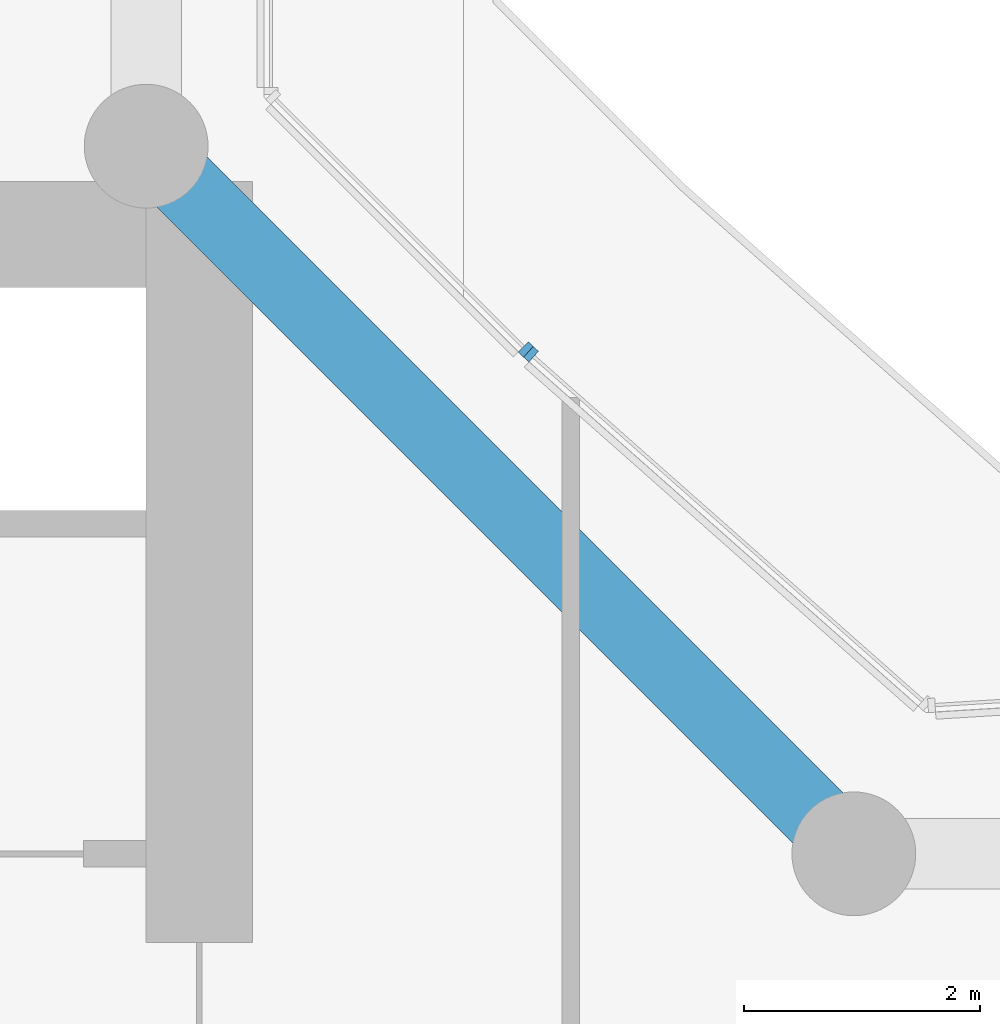
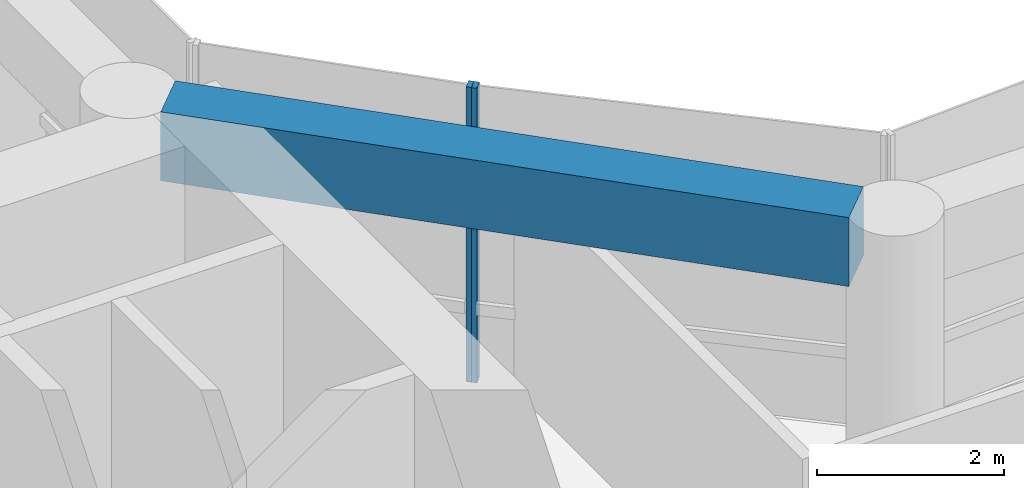
# One storey, part 5 of 29: 2 members, 1 beam, 2 elements without a shape of their own.
"""IFC4 building model written with IfcOpenShell, lengths in metres."""

from ifc_helpers import new_model, si_unit, direction, frame, origin, origin_2d, place, context, subcontext, project, spatial, rectangle, extrude, material, layer, layer_set, material_profile, profile_set, type_object, element, aggregate, save


model = new_model("IFC4")

# Units and contexts
model_context = context("Model", 3, precision=1e-05, world=origin(), true_north=direction((0.0, 1.0)))
body_context = subcontext(model_context, "Body", "Model", "MODEL_VIEW")
ifc_project = project(units=[si_unit("LENGTHUNIT", "METRE"), si_unit("AREAUNIT", "SQUARE_METRE"), si_unit("VOLUMEUNIT", "CUBIC_METRE"), si_unit("PLANEANGLEUNIT", "RADIAN"), si_unit("MASSUNIT", "GRAM", prefix="KILO")], contexts=[model_context])

# Site, building, storey
site_placement = place(None, origin())
site = spatial("IfcSite", under=ifc_project, at=site_placement, CompositionType="ELEMENT")
building_placement = place(site_placement, origin())
building = spatial("IfcBuilding", under=site, at=building_placement, Name="Welwitschia Terrace Campus", CompositionType="ELEMENT")
storey_placement = place(building_placement, frame((0.0, 0.0, 66.800048828125)))
storey = spatial("IfcBuildingStorey", under=building, at=storey_placement, Name="L15", CompositionType="ELEMENT", Elevation=66.800048828125)

# Curtain wall, member
ifc_material_1 = material(Name="Bronze anodised aluminium", Category="aluminium")
ifc_layer = layer(ifc_material_1, 0.1201171875)
ifc_layer_set = layer_set([ifc_layer], Name="Bronze anodised aluminium")
curtain_wall_type = type_object("IfcCurtainWallType", Name="Curtain wall CW2 tower 6000", PredefinedType="NOTDEFINED", material=ifc_layer_set)
curtain_wall_1_placement = place(storey_placement, origin())
curtain_wall_1 = element("IfcCurtainWall", 1, at=curtain_wall_1_placement, inside=storey, type_object=curtain_wall_type, Name="CW L15.8.0", PredefinedType="NOTDEFINED")
ifc_material_2 = material(Name="Bronze anodised aluminium", Category="aluminium")
ifc_material_profile_1 = material_profile(ifc_material_2, rectangle(XDim=0.1201171875, YDim=0.06005859375, at=origin_2d()))
ifc_profile_set_1 = profile_set([ifc_material_profile_1], Name="Bronze anodised aluminium")
member_type = type_object("IfcMemberType", Name="Mullion 60x120", PredefinedType="MULLION", material=ifc_profile_set_1)
member_1_placement = place(storey_placement, frame((27.26318359375, 24.235595703125, 0.0), z_axis=(0.0, 0.0, 1.0), x_axis=(-0.662620048216, -0.748955720789, 0.0)))
member_1 = element("IfcMember", 2, at=member_1_placement, type_object=member_type, Name="Mullion L15.8.0.1", PredefinedType="MULLION", context=body_context, shape_type="SweptSolid", body=[
    extrude(rectangle(XDim=0.1201171875, YDim=0.06005859375, at=origin_2d()), origin(), (0.0, 0.0, 1.0), 3.849853515625),
])
aggregate(curtain_wall_1, [member_1])

curtain_wall_2_placement = place(storey_placement, origin())
curtain_wall_2 = element("IfcCurtainWall", 3, at=curtain_wall_2_placement, inside=storey, type_object=curtain_wall_type, Name="CW L15.9.0", PredefinedType="NOTDEFINED")
member_2_placement = place(storey_placement, frame((27.219482421875, 24.27685546875, 0.0), z_axis=(0.0, 0.0, 1.0), x_axis=(-0.707106781187, -0.707106781187, 0.0)))
member_2 = element("IfcMember", 4, at=member_2_placement, type_object=member_type, Name="Mullion L15.9.0.0", PredefinedType="MULLION", context=body_context, shape_type="SweptSolid", body=[
    extrude(rectangle(XDim=0.1201171875, YDim=0.06005859375, at=origin_2d()), origin(), (0.0, 0.0, 1.0), 3.849853515625),
])
aggregate(curtain_wall_2, [member_2])

# Beam
ifc_material_3 = material(Name="Concrete C60/75", Category="concrete")
ifc_material_profile_2 = material_profile(ifc_material_3, rectangle(XDim=0.60009765625, YDim=0.89990234375, at=origin_2d()))
ifc_profile_set_2 = profile_set([ifc_material_profile_2], Name="Concrete C60/75")
beam_type = type_object("IfcBeamType", Name="Ring spandrel 600x900", PredefinedType="SPANDREL", material=ifc_profile_set_2)
beam_placement = place(storey_placement, frame((29.69482421875, 20.30517578125, 3.39990234375), z_axis=(-0.707106781187, 0.707106781187, 0.0), x_axis=(-0.707106781187, -0.707106781187, 0.0)))
element("IfcBeam", 5, at=beam_placement, inside=storey, type_object=beam_type, Name="Spandrel SP2", PredefinedType="SPANDREL", context=body_context, shape_type="SweptSolid", body=[
    extrude(rectangle(XDim=0.60009765625, YDim=0.89990234375, at=origin_2d()), origin(), (0.0, 0.0, 1.0), 7.6220703125),
])

save(model, "model.ifc")
